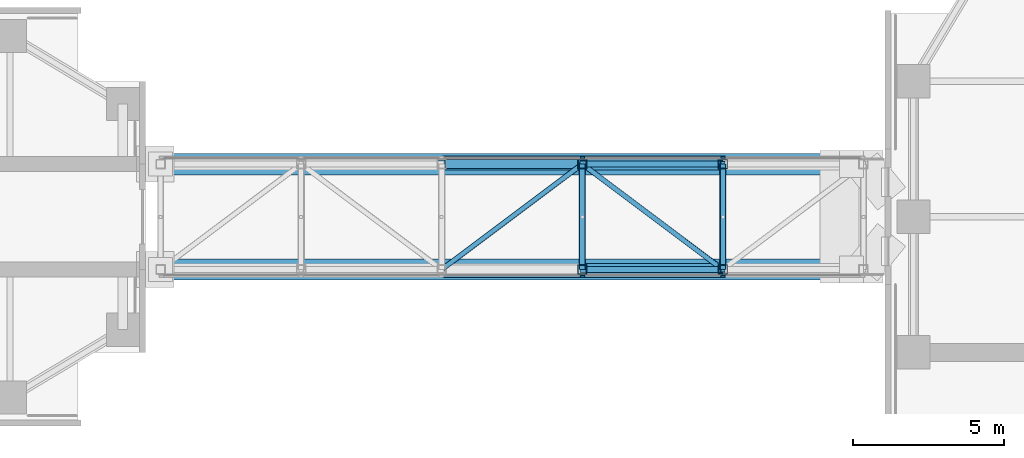
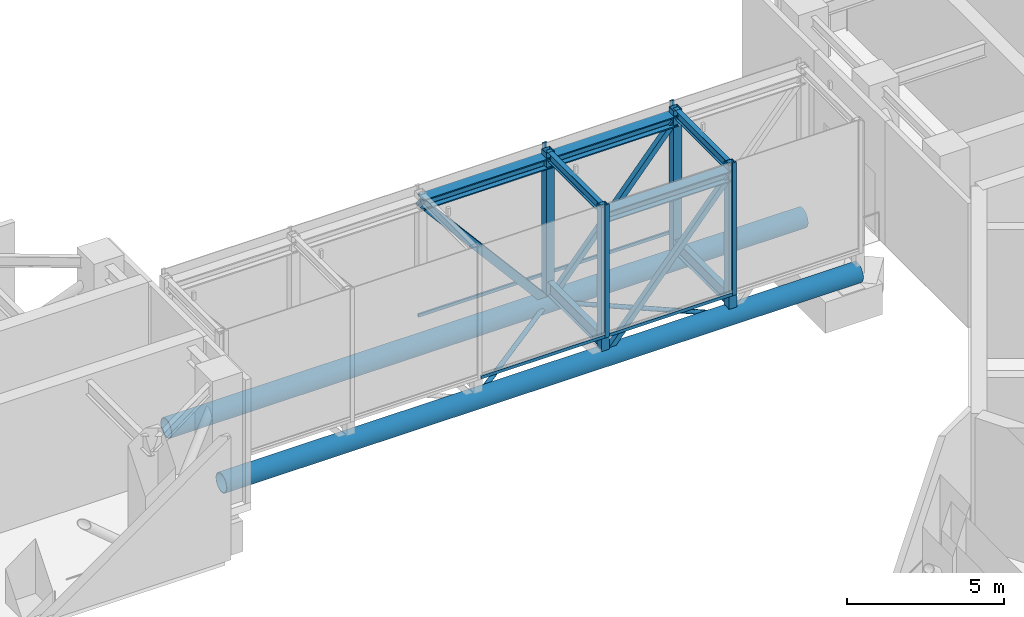
# One storey, part 3 of 15: 22 members, 4 beams, 2 elements without a shape of their own.
"""IFC4 building model written with IfcOpenShell, lengths in metres."""

from ifc_helpers import new_model, si_unit, direction, frame, origin, origin_2d, place, context, subcontext, project, spatial, rectangle, hollow_rectangle, hollow_circle, i_section, extrude, material, material_profile, profile_set, type_object, element, aggregate, save


model = new_model("IFC4")

# Units and contexts
model_context = context("Model", 3, precision=1e-05, world=origin(), true_north=direction((0.0, 1.0)))
body_context = subcontext(model_context, "Body", "Model", "MODEL_VIEW")
ifc_project = project(units=[si_unit("LENGTHUNIT", "METRE"), si_unit("AREAUNIT", "SQUARE_METRE"), si_unit("VOLUMEUNIT", "CUBIC_METRE"), si_unit("PLANEANGLEUNIT", "RADIAN"), si_unit("MASSUNIT", "GRAM", prefix="KILO")], contexts=[model_context])

# Site, building, storey
site_placement = place(None, origin())
site = spatial("IfcSite", under=ifc_project, at=site_placement, CompositionType="ELEMENT")
building_placement = place(site_placement, origin())
building = spatial("IfcBuilding", under=site, at=building_placement, Name="Upepo Twin Towers", CompositionType="ELEMENT")
storey_placement = place(building_placement, frame((0.0, 0.0, 238.5)))
storey = spatial("IfcBuildingStorey", under=building, at=storey_placement, Name="L58", CompositionType="ELEMENT", Elevation=238.5)

# Beams
ifc_material_1 = material(Name="Steel S355", Category="steel")
ifc_material_profile_1 = material_profile(ifc_material_1, i_section(OverallWidth=0.17138671875, OverallDepth=0.35498046875, WebThickness=0.00732421875, FlangeThickness=0.011474609375, FilletRadius=0.01025390625, at=origin_2d()), Name="UB 356x171x51")
ifc_profile_set_1 = profile_set([ifc_material_profile_1], Name="Steel S355")
beam_type_1 = type_object("IfcBeamType", Name="Beam UB 356x171x51", PredefinedType="BEAM", material=ifc_profile_set_1)
for number, where, z_axis, x_axis, name in (
    (1, (41.50390625, -1.75, 4.62255859375), (0.0, 1.0, 0.0), (-1.0, 0.0, 0.0), "BR3 roof beam 3"),
    (2, (46.172119140625, -1.75, 4.62255859375), (0.0, 1.0, 0.0), (-1.0, 0.0, 0.0), "BR3 roof beam 4"),
):
    element("IfcBeam", number, at=place(storey_placement, frame(where, z_axis=z_axis, x_axis=x_axis)), inside=storey, type_object=beam_type_1, Name=name, PredefinedType="BEAM", context=body_context, shape_type="SweptSolid", body=[
        extrude(i_section(OverallWidth=0.17138671875, OverallDepth=0.35498046875, WebThickness=0.00732421875, FlangeThickness=0.011474609375, FilletRadius=0.01025390625, at=origin_2d()), origin(), (0.0, 0.0, 1.0), 3.5),
    ])
ifc_material_2 = material(Name="Steel S355", Category="steel")
ifc_material_profile_2 = material_profile(ifc_material_2, i_section(OverallWidth=0.209228515625, OverallDepth=0.533203125, WebThickness=0.010009765625, FlangeThickness=0.015625, FilletRadius=0.0126953125, at=origin_2d()), Name="UB 533x210x92")
ifc_profile_set_2 = profile_set([ifc_material_profile_2], Name="Steel S355")
beam_type_2 = type_object("IfcBeamType", Name="Beam UB 533x210x92", PredefinedType="BEAM", material=ifc_profile_set_2)
for number, where, z_axis, x_axis, name in (
    (3, (41.50390625, -1.75, -0.466552734375), (0.0, 1.0, 0.0), (-1.0, 0.0, 0.0), "BR3 floor beam 3"),
    (4, (46.172119140625, -1.75, -0.466552734375), (0.0, 1.0, 0.0), (-1.0, 0.0, 0.0), "BR3 floor beam 4"),
):
    element("IfcBeam", number, at=place(storey_placement, frame(where, z_axis=z_axis, x_axis=x_axis)), inside=storey, type_object=beam_type_2, Name=name, PredefinedType="BEAM", context=body_context, shape_type="SweptSolid", body=[
        extrude(i_section(OverallWidth=0.209228515625, OverallDepth=0.533203125, WebThickness=0.010009765625, FlangeThickness=0.015625, FilletRadius=0.0126953125, at=origin_2d()), origin(), (0.0, 0.0, 1.0), 3.5),
    ])

# Members
ifc_material_3 = material(Name="Steel S355", Category="steel")
ifc_material_profile_3 = material_profile(ifc_material_3, hollow_circle(Radius=0.35546875, WallThickness=0.02490234375, at=origin_2d()), Name="CHS 711.0x25.0")
ifc_profile_set_3 = profile_set([ifc_material_profile_3], Name="Steel S355")
member_type_1 = type_object("IfcMemberType", Name="Bridge bottom chord CHS 711.0x25.0", PredefinedType="CHORD", material=ifc_profile_set_3)
for number, where, z_axis, x_axis, name in (
    (5, (27.5, 1.75, -1.088623046875), (1.0, 0.0, 0.0), (0.0, 1.0, 0.0), "BR3 bottom chord N"),
    (6, (27.5, -1.75, -1.088623046875), (1.0, 0.0, 0.0), (0.0, 1.0, 0.0), "BR3 bottom chord S"),
):
    element("IfcMember", number, at=place(storey_placement, frame(where, z_axis=z_axis, x_axis=x_axis)), inside=storey, type_object=member_type_1, Name=name, PredefinedType="CHORD", context=body_context, shape_type="SweptSolid", body=[
        extrude(hollow_circle(Radius=0.35546875, WallThickness=0.02490234375, at=origin_2d()), origin(), (0.0, 0.0, 1.0), 23.340087890625),
    ])
ifc_material_4 = material(Name="Steel S355", Category="steel")
ifc_material_profile_4 = material_profile(ifc_material_4, i_section(OverallWidth=0.403076171875, OverallDepth=0.406494140625, WebThickness=0.026611328125, FlangeThickness=0.04296875, FilletRadius=0.01513671875, at=origin_2d()), Name="UC 356x406x340")
ifc_profile_set_4 = profile_set([ifc_material_profile_4], Name="Steel S355")
member_type_2 = type_object("IfcMemberType", Name="Bridge chord UC 356x406x340", PredefinedType="CHORD", material=ifc_profile_set_4)
member_1_placement = place(storey_placement, frame((36.8359375, 1.75, 4.39990234375), z_axis=(1.0, 0.0, 0.0), x_axis=(0.0, 1.0, 0.0)))
element("IfcMember", 7, at=member_1_placement, inside=storey, type_object=member_type_2, Name="BR3 top chord N3", PredefinedType="CHORD", context=body_context, shape_type="SweptSolid", body=[
    extrude(i_section(OverallWidth=0.403076171875, OverallDepth=0.406494140625, WebThickness=0.026611328125, FlangeThickness=0.04296875, FilletRadius=0.01513671875, at=origin_2d()), origin(), (0.0, 0.0, 1.0), 4.66796875),
])
for number, where, z_axis, x_axis, name in (
    (8, (41.50390625, 1.75, 4.39990234375), (1.0, 0.0, 0.0), (0.0, 1.0, 0.0), "BR3 top chord N4"),
    (9, (41.50390625, -1.75, 4.39990234375), (1.0, 0.0, 0.0), (0.0, 1.0, 0.0), "BR3 top chord S4"),
):
    element("IfcMember", number, at=place(storey_placement, frame(where, z_axis=z_axis, x_axis=x_axis)), inside=storey, type_object=member_type_2, Name=name, PredefinedType="CHORD", context=body_context, shape_type="SweptSolid", body=[
        extrude(i_section(OverallWidth=0.403076171875, OverallDepth=0.406494140625, WebThickness=0.026611328125, FlangeThickness=0.04296875, FilletRadius=0.01513671875, at=origin_2d()), origin(), (0.0, 0.0, 1.0), 4.668212890625),
    ])
ifc_material_5 = material(Name="Steel S355", Category="steel")
ifc_material_profile_5 = material_profile(ifc_material_5, hollow_rectangle(XDim=0.199951171875, YDim=0.199951171875, WallThickness=0.010009765625, at=origin_2d()), Name="SHS 200x200x10.0")
ifc_profile_set_5 = profile_set([ifc_material_profile_5], Name="Steel S355")
member_type_3 = type_object("IfcMemberType", Name="Bridge diagonal SHS 200x200x10.0", PredefinedType="BRACE", material=ifc_profile_set_5)
for number, where, z_axis, x_axis, name in (
    (10, (41.50390625, 1.75, -1.088623046875), (0.647887392676, 0.0, 0.761736126497), (0.0, 1.0, 0.0), "BR3 diagonal N4"),
    (11, (41.50390625, -1.75, -1.088623046875), (0.647887392676, 0.0, 0.761736126497), (0.0, 1.0, 0.0), "BR3 diagonal S4"),
):
    element("IfcMember", number, at=place(storey_placement, frame(where, z_axis=z_axis, x_axis=x_axis)), inside=storey, type_object=member_type_3, Name=name, PredefinedType="BRACE", context=body_context, shape_type="SweptSolid", body=[
        extrude(hollow_rectangle(XDim=0.199951171875, YDim=0.199951171875, WallThickness=0.010009765625, at=origin_2d()), origin(), (0.0, 0.0, 1.0), 7.205322265625),
    ])
ifc_material_6 = material(Name="Steel S355", Category="steel")
ifc_material_profile_6 = material_profile(ifc_material_6, hollow_rectangle(XDim=0.300048828125, YDim=0.300048828125, WallThickness=0.012451171875, at=origin_2d()), Name="SHS 300x300x12.5")
ifc_profile_set_6 = profile_set([ifc_material_profile_6], Name="Steel S355")
member_type_4 = type_object("IfcMemberType", Name="Bridge diagonal SHS 300x300x12.5", PredefinedType="BRACE", material=ifc_profile_set_6)
member_2_placement = place(storey_placement, frame((36.8359375, 1.75, 4.39990234375), z_axis=(0.647867731372, 0.0, -0.761752848795), x_axis=(0.0, 1.0, 0.0)))
element("IfcMember", 12, at=member_2_placement, inside=storey, type_object=member_type_4, Name="BR3 diagonal N3", PredefinedType="BRACE", context=body_context, shape_type="SweptSolid", body=[
    extrude(hollow_rectangle(XDim=0.300048828125, YDim=0.300048828125, WallThickness=0.012451171875, at=origin_2d()), origin(), (0.0, 0.0, 1.0), 7.205078125),
])
ifc_material_7 = material(Name="Steel S355", Category="steel")
ifc_material_profile_7 = material_profile(ifc_material_7, hollow_circle(Radius=0.084228515625, WallThickness=0.008056640625, at=origin_2d()), Name="CHS 168.3x8.0")
ifc_profile_set_7 = profile_set([ifc_material_profile_7], Name="Steel S355")
member_type_5 = type_object("IfcMemberType", Name="Bridge plan brace CHS 168.3x8.0", PredefinedType="BRACE", material=ifc_profile_set_7)
for number, where, z_axis, x_axis, name in (
    (13, (36.8359375, -1.75, -1.088623046875), (0.800080335623, 0.599892870894, 0.0), (-0.599892870894, 0.800080335623, 0.0), "BR3 plan brace 3"),
    (14, (41.50390625, 1.75, -1.088623046875), (0.800095393762, -0.599872787248, 0.0), (0.599872787248, 0.800095393762, 0.0), "BR3 plan brace 4"),
):
    element("IfcMember", number, at=place(storey_placement, frame(where, z_axis=z_axis, x_axis=x_axis)), inside=storey, type_object=member_type_5, Name=name, PredefinedType="BRACE", context=body_context, shape_type="SweptSolid", body=[
        extrude(hollow_circle(Radius=0.084228515625, WallThickness=0.008056640625, at=origin_2d()), origin(), (0.0, 0.0, 1.0), 5.83447265625),
    ])
ifc_material_8 = material(Name="Steel S355", Category="steel")
ifc_material_profile_8 = material_profile(ifc_material_8, hollow_rectangle(XDim=0.300048828125, YDim=0.300048828125, WallThickness=0.012451171875, at=origin_2d()), Name="SHS 300x300x12.5")
ifc_profile_set_8 = profile_set([ifc_material_profile_8], Name="Steel S355")
member_type_6 = type_object("IfcMemberType", Name="Bridge post SHS 300x300x12.5", PredefinedType="POST", material=ifc_profile_set_8)
for number, where, z_axis, x_axis, name in (
    (15, (41.50390625, 1.75, -1.088623046875), (0.0, 0.0, 1.0), (1.0, 0.0, 0.0), "BR3 vertical N3"),
    (16, (46.172119140625, 1.75, -1.088623046875), (0.0, 0.0, 1.0), (1.0, 0.0, 0.0), "BR3 vertical N4"),
    (17, (41.50390625, -1.75, -1.088623046875), (0.0, 0.0, 1.0), (1.0, 0.0, 0.0), "BR3 vertical S3"),
    (18, (46.172119140625, -1.75, -1.088623046875), (0.0, 0.0, 1.0), (1.0, 0.0, 0.0), "BR3 vertical S4"),
):
    element("IfcMember", number, at=place(storey_placement, frame(where, z_axis=z_axis, x_axis=x_axis)), inside=storey, type_object=member_type_6, Name=name, PredefinedType="POST", context=body_context, shape_type="SweptSolid", body=[
        extrude(hollow_rectangle(XDim=0.300048828125, YDim=0.300048828125, WallThickness=0.012451171875, at=origin_2d()), origin(), (0.0, 0.0, 1.0), 5.888671875),
    ])

# Curtain wall, members
ifc_material_9 = material(Name="Aluminium and clear glass", Category="aluminium")
curtain_wall_type = type_object("IfcCurtainWallType", Name="Bridge curtain wall BW1", PredefinedType="NOTDEFINED", material=ifc_material_9)
curtain_wall_1_placement = place(storey_placement, origin())
curtain_wall_1 = element("IfcCurtainWall", 19, at=curtain_wall_1_placement, inside=storey, type_object=curtain_wall_type, Name="BR3 curtain wall N", PredefinedType="NOTDEFINED")
ifc_material_10 = material(Name="Aluminium mullion", Category="aluminium")
ifc_material_profile_9 = material_profile(ifc_material_10, rectangle(XDim=0.06494140625, YDim=0.14990234375, at=origin_2d()), Name="MULLION 65x150 BRIDGE")
ifc_profile_set_9 = profile_set([ifc_material_profile_9], Name="Aluminium mullion")
member_type_7 = type_object("IfcMemberType", Name="Mullion 65x150 BW1", PredefinedType="MULLION", material=ifc_profile_set_9)
member_3_placement = place(storey_placement, frame((46.172119140625, 1.97509765625, -0.199951171875), z_axis=(0.0, 0.0, 1.0), x_axis=(0.0, -1.0, 0.0)))
member_3 = element("IfcMember", 20, at=member_3_placement, type_object=member_type_7, Name="BR3 curtain wall N mullion 2", PredefinedType="MULLION", context=body_context, shape_type="SweptSolid", body=[
    extrude(rectangle(XDim=0.06494140625, YDim=0.14990234375, at=origin_2d()), origin(), (0.0, 0.0, 1.0), 5.14990234375),
])
member_4_placement = place(storey_placement, frame((41.50390625, 1.97509765625, -0.199951171875), z_axis=(0.0, 0.0, 1.0), x_axis=(0.0, -1.0, 0.0)))
member_4 = element("IfcMember", 21, at=member_4_placement, type_object=member_type_7, Name="BR3 curtain wall N mullion 3", PredefinedType="MULLION", context=body_context, shape_type="SweptSolid", body=[
    extrude(rectangle(XDim=0.06494140625, YDim=0.14990234375, at=origin_2d()), origin(), (0.0, 0.0, 1.0), 5.14990234375),
])

curtain_wall_2_placement = place(storey_placement, origin())
curtain_wall_2 = element("IfcCurtainWall", 22, at=curtain_wall_2_placement, inside=storey, type_object=curtain_wall_type, Name="BR3 curtain wall S", PredefinedType="NOTDEFINED")
member_5_placement = place(storey_placement, frame((41.50390625, -1.97509765625, -0.199951171875), z_axis=(0.0, 0.0, 1.0), x_axis=(0.0, 1.0, 0.0)))
member_5 = element("IfcMember", 23, at=member_5_placement, type_object=member_type_7, Name="BR3 curtain wall S mullion 4", PredefinedType="MULLION", context=body_context, shape_type="SweptSolid", body=[
    extrude(rectangle(XDim=0.06494140625, YDim=0.14990234375, at=origin_2d()), origin(), (0.0, 0.0, 1.0), 5.14990234375),
])
member_6_placement = place(storey_placement, frame((46.172119140625, -1.97509765625, -0.199951171875), z_axis=(0.0, 0.0, 1.0), x_axis=(0.0, 1.0, 0.0)))
member_6 = element("IfcMember", 24, at=member_6_placement, type_object=member_type_7, Name="BR3 curtain wall S mullion 5", PredefinedType="MULLION", context=body_context, shape_type="SweptSolid", body=[
    extrude(rectangle(XDim=0.06494140625, YDim=0.14990234375, at=origin_2d()), origin(), (0.0, 0.0, 1.0), 5.14990234375),
])

# Member
ifc_material_11 = material(Name="Aluminium transom", Category="aluminium")
ifc_material_profile_10 = material_profile(ifc_material_11, rectangle(XDim=0.06494140625, YDim=0.1201171875, at=origin_2d()), Name="TRANSOM 65x120 BRIDGE")
ifc_profile_set_10 = profile_set([ifc_material_profile_10], Name="Aluminium transom")
member_type_8 = type_object("IfcMemberType", Name="Transom 65x120 BW1", PredefinedType="USERDEFINED", material=ifc_profile_set_10)
member_7_placement = place(storey_placement, frame((46.139404296875, 1.97509765625, -0.139892578125), z_axis=(-1.0, 0.0, 0.0), x_axis=(0.0, -1.0, 0.0)))
member_7 = element("IfcMember", 25, at=member_7_placement, type_object=member_type_8, Name="BR3 curtain wall N transom 2", ObjectType="TRANSOM", PredefinedType="USERDEFINED", context=body_context, shape_type="SweptSolid", body=[
    extrude(rectangle(XDim=0.06494140625, YDim=0.1201171875, at=origin_2d()), origin(), (0.0, 0.0, 1.0), 4.602783203125),
])

member_8_placement = place(storey_placement, frame((41.471435546875, 1.97509765625, -0.139892578125), z_axis=(-1.0, 0.0, 0.0), x_axis=(0.0, -1.0, 0.0)))
member_8 = element("IfcMember", 26, at=member_8_placement, type_object=member_type_8, Name="BR3 curtain wall N transom 3", ObjectType="TRANSOM", PredefinedType="USERDEFINED", context=body_context, shape_type="SweptSolid", body=[
    extrude(rectangle(XDim=0.06494140625, YDim=0.1201171875, at=origin_2d()), origin(), (0.0, 0.0, 1.0), 4.60302734375),
])

aggregate(curtain_wall_1, [member_3, member_4, member_7, member_8])

member_9_placement = place(storey_placement, frame((36.868408203125, -1.97509765625, -0.139892578125), z_axis=(1.0, 0.0, 0.0), x_axis=(0.0, 1.0, 0.0)))
member_9 = element("IfcMember", 27, at=member_9_placement, type_object=member_type_8, Name="BR3 curtain wall S transom 3", ObjectType="TRANSOM", PredefinedType="USERDEFINED", context=body_context, shape_type="SweptSolid", body=[
    extrude(rectangle(XDim=0.06494140625, YDim=0.1201171875, at=origin_2d()), origin(), (0.0, 0.0, 1.0), 4.60302734375),
])

member_10_placement = place(storey_placement, frame((41.53662109375, -1.97509765625, -0.139892578125), z_axis=(1.0, 0.0, 0.0), x_axis=(0.0, 1.0, 0.0)))
member_10 = element("IfcMember", 28, at=member_10_placement, type_object=member_type_8, Name="BR3 curtain wall S transom 4", ObjectType="TRANSOM", PredefinedType="USERDEFINED", context=body_context, shape_type="SweptSolid", body=[
    extrude(rectangle(XDim=0.06494140625, YDim=0.1201171875, at=origin_2d()), origin(), (0.0, 0.0, 1.0), 4.602783203125),
])

aggregate(curtain_wall_2, [member_5, member_6, member_9, member_10])

save(model, "model.ifc")
